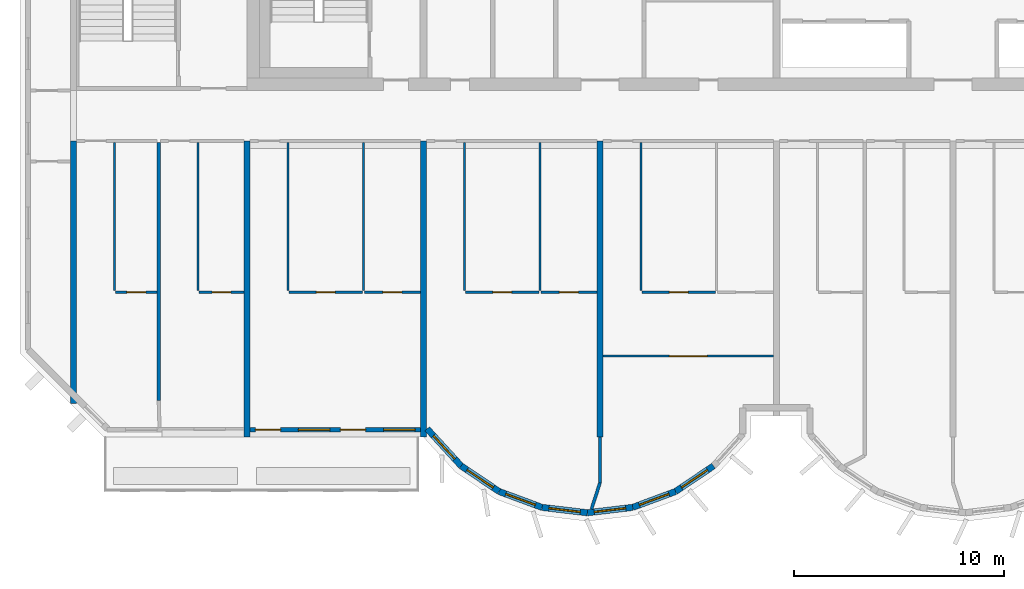
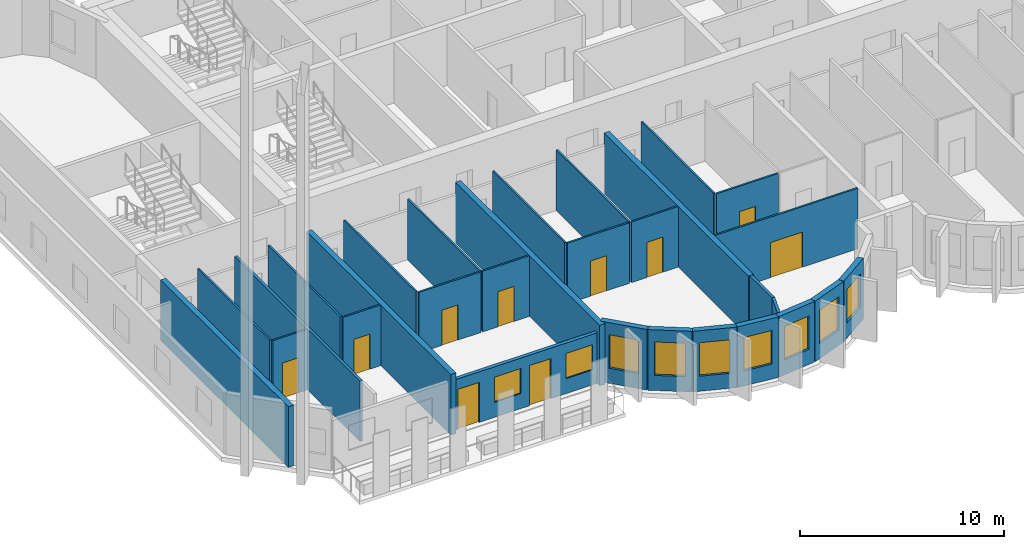
# One storey, part 2 of 13: 30 walls, 10 doors, 9 windows, 19 openings.
"""IFC4 building model written with IfcOpenShell, lengths in metres."""

from ifc_helpers import new_model, si_unit, direction, frame, frame_2d, origin, place, context, subcontext, project, spatial, rectangle, extrude, source, transform, mapped, material, layer, layer_set, type_object, element, fill, save


model = new_model("IFC4")

# Units and contexts
model_context = context("Model", 3, precision=1e-05, world=origin(), true_north=direction((0.0, 1.0)))
body_context = subcontext(model_context, "Body", "Model", "MODEL_VIEW")
ifc_project = project(units=[si_unit("LENGTHUNIT", "METRE"), si_unit("AREAUNIT", "SQUARE_METRE"), si_unit("VOLUMEUNIT", "CUBIC_METRE"), si_unit("PLANEANGLEUNIT", "RADIAN"), si_unit("MASSUNIT", "GRAM", prefix="KILO")], contexts=[model_context])

# Site, building, storey
site_placement = place(None, origin())
site = spatial("IfcSite", under=ifc_project, at=site_placement, CompositionType="ELEMENT")
building_placement = place(site_placement, origin())
building = spatial("IfcBuilding", under=site, at=building_placement, Name="Vanashikhar Sky Hotel", CompositionType="ELEMENT")
storey_placement = place(building_placement, frame((0.0, 0.0, 214.0)))
storey = spatial("IfcBuildingStorey", under=building, at=storey_placement, Name="L51", CompositionType="ELEMENT", Elevation=214.0)

# Walls
ifc_material_1 = material(Name="Concrete M60", Category="concrete")
ifc_layer_1 = layer(ifc_material_1, 0.300048828125)
ifc_layer_set_1 = layer_set([ifc_layer_1], Name="RC shear wall 300 Concrete M60")
wall_type_1 = type_object("IfcWallType", Name="RC shear wall 300 Concrete M60", PredefinedType="SHEAR", material=ifc_layer_set_1)
shared_shape_1 = source(origin(), body_context, "Body", "SweptSolid", [
    extrude(rectangle(XDim=12.5, YDim=0.300048828125, at=frame_2d((6.25, 0.0))), origin(), (0.0, 0.0, 1.0), 3.6201171875),
])
wall_1_placement = place(storey_placement, frame((16.949951171875, 7.10009765625, 0.0), z_axis=(0.0, 0.0, 1.0), x_axis=(0.0, 1.0, 0.0)))
element("IfcWall", 1, at=wall_1_placement, inside=storey, type_object=wall_type_1, Name="CW-L51-XW03-1", PredefinedType="SHEAR", context=body_context, shape_type="MappedRepresentation", body=[
    mapped(shared_shape_1, transform((0.0, 0.0, 0.0), scale=1.0)),
])
shared_shape_2 = source(origin(), body_context, "Body", "SweptSolid", [
    extrude(rectangle(XDim=14.10009765625, YDim=0.300048828125, at=frame_2d((7.050048828125, 0.0))), origin(), (0.0, 0.0, 1.0), 3.6201171875),
])
for number, where, z_axis, x_axis, name in (
    (2, (25.199951171875, 5.5, 0.0), (0.0, 0.0, 1.0), (0.0, 1.0, 0.0), "CW-L51-XW04-1"),
    (3, (33.60009765625, 5.5, 0.0), (0.0, 0.0, 1.0), (0.0, 1.0, 0.0), "CW-L51-XW05-1"),
    (4, (42.0, 5.5, 0.0), (0.0, 0.0, 1.0), (0.0, 1.0, 0.0), "CW-L51-XW06-1"),
):
    element("IfcWall", number, at=place(storey_placement, frame(where, z_axis=z_axis, x_axis=x_axis)), inside=storey, type_object=wall_type_1, Name=name, PredefinedType="SHEAR", context=body_context, shape_type="MappedRepresentation", body=[
        mapped(shared_shape_2, transform((0.0, 0.0, 0.0), scale=1.0)),
    ])

# Wall, openings, windows, doors
ifc_material_2 = material(Name="Concrete M50", Category="concrete")
ifc_layer_2 = layer(ifc_material_2, 0.199951171875)
ifc_layer_set_2 = layer_set([ifc_layer_2], Name="Front window wall 200")
wall_type_2 = type_object("IfcWallType", Name="Front window wall 200", PredefinedType="SOLIDWALL", material=ifc_layer_set_2)
shared_shape_3 = source(origin(), body_context, "Body", "SweptSolid", [
    extrude(rectangle(XDim=8.099853515625, YDim=0.199951171875, at=frame_2d((4.0498046875, 0.0))), origin(), (0.0, 0.0, 1.0), 3.02001953125),
])
wall_2_placement = place(storey_placement, frame((25.35009765625, 5.85009765625, 0.0), z_axis=(0.0, 0.0, 1.0), x_axis=(1.0, 0.0, 0.0)))
wall_2 = element("IfcWall", 5, at=wall_2_placement, inside=storey, type_object=wall_type_2, Name="Front window wall", PredefinedType="SOLIDWALL", context=body_context, shape_type="MappedRepresentation", body=[
    mapped(shared_shape_3, transform((0.0, 0.0, 0.0), scale=1.0)),
])
shared_shape_4 = source(origin(), body_context, "Body", "SweptSolid", [
    extrude(rectangle(XDim=1.199951171875, YDim=2.39990234375, at=frame_2d((0.60009765625, 1.199951171875))), frame((0.0, 0.10986328125, 0.0), z_axis=(0.0, -1.0, 0.0), x_axis=(1.0, 0.0, 0.0)), (0.0, 0.0, 1.0), 0.219970703125),
])
opening_1_placement = place(wall_2_placement, frame((0.25, 0.0, 0.0)))
opening_1 = element("IfcOpeningElement", 6, at=opening_1_placement, cuts=wall_2, Name="Opening BD-01", PredefinedType="OPENING", context=body_context, shape_type="MappedRepresentation", body=[
    mapped(shared_shape_4, transform((0.0, 0.0, 0.0), scale=1.0)),
])
shared_shape_5 = source(origin(), body_context, "Body", "SweptSolid", [
    extrude(rectangle(XDim=1.5, YDim=1.5, at=frame_2d((0.75, 0.75))), frame((0.0, 0.10986328125, 0.0), z_axis=(0.0, -1.0, 0.0), x_axis=(1.0, 0.0, 0.0)), (0.0, 0.0, 1.0), 0.219970703125),
])
opening_2_placement = place(wall_2_placement, frame((2.300048828125, 0.0, 0.89990234375)))
opening_2 = element("IfcOpeningElement", 7, at=opening_2_placement, cuts=wall_2, Name="Opening WN-1", PredefinedType="OPENING", context=body_context, shape_type="MappedRepresentation", body=[
    mapped(shared_shape_5, transform((0.0, 0.0, 0.0), scale=1.0)),
])
opening_3_placement = place(wall_2_placement, frame((4.300048828125, 0.0, 0.0)))
opening_3 = element("IfcOpeningElement", 8, at=opening_3_placement, cuts=wall_2, Name="Opening BD-02", PredefinedType="OPENING", context=body_context, shape_type="MappedRepresentation", body=[
    mapped(shared_shape_4, transform((0.0, 0.0, 0.0), scale=1.0)),
])
opening_4_placement = place(wall_2_placement, frame((6.35009765625, 0.0, 0.89990234375)))
opening_4 = element("IfcOpeningElement", 9, at=opening_4_placement, cuts=wall_2, Name="Opening WN-1", PredefinedType="OPENING", context=body_context, shape_type="MappedRepresentation", body=[
    mapped(shared_shape_5, transform((0.0, 0.0, 0.0), scale=1.0)),
])
ifc_material_3 = material(Name="Glass", Category="glass")
window_type_1 = type_object("IfcWindowType", Name="Window 1500 x 1500", PartitioningType="SINGLE_PANEL", PredefinedType="WINDOW", material=ifc_material_3)
shared_shape_6 = source(origin(), body_context, "Body", "SweptSolid", [
    extrude(rectangle(XDim=1.5, YDim=1.5, at=frame_2d((0.75, 0.75))), frame((0.0, 0.030029296875, 0.0), z_axis=(0.0, -1.0, 0.0), x_axis=(1.0, 0.0, 0.0)), (0.0, 0.0, 1.0), 0.06005859375),
])
window_1_placement = place(opening_2_placement, origin())
window_1 = element("IfcWindow", 10, at=window_1_placement, inside=storey, type_object=window_type_1, Name="Window WN-1", OverallHeight=1.5, OverallWidth=1.5, PartitioningType="SINGLE_PANEL", PredefinedType="WINDOW", context=body_context, shape_type="MappedRepresentation", body=[
    mapped(shared_shape_6, transform((0.0, 0.0, 0.0), scale=1.0)),
])
fill(opening_2, window_1)
window_2_placement = place(opening_4_placement, origin())
window_2 = element("IfcWindow", 11, at=window_2_placement, inside=storey, type_object=window_type_1, Name="Window WN-1", OverallHeight=1.5, OverallWidth=1.5, PartitioningType="SINGLE_PANEL", PredefinedType="WINDOW", context=body_context, shape_type="MappedRepresentation", body=[
    mapped(shared_shape_6, transform((0.0, 0.0, 0.0), scale=1.0)),
])
fill(opening_4, window_2)
ifc_material_4 = material(Name="Aluminium", Category="aluminium")
door_type_1 = type_object("IfcDoorType", Name="Balcony sliding door 1200 x 2400", OperationType="NOTDEFINED", PredefinedType="DOOR", material=ifc_material_4)
shared_shape_7 = source(origin(), body_context, "Body", "SweptSolid", [
    extrude(rectangle(XDim=1.199951171875, YDim=2.39990234375, at=frame_2d((0.60009765625, 1.199951171875))), frame((0.0, 0.02490234375, 0.0), z_axis=(0.0, -1.0, 0.0), x_axis=(1.0, 0.0, 0.0)), (0.0, 0.0, 1.0), 0.050048828125),
])
door_1_placement = place(opening_1_placement, origin())
door_1 = element("IfcDoor", 12, at=door_1_placement, inside=storey, type_object=door_type_1, Name="Balcony sliding door", OperationType="SLIDING_TO_LEFT", OverallHeight=2.39990234375, OverallWidth=1.199951171875, PredefinedType="DOOR", context=body_context, shape_type="MappedRepresentation", body=[
    mapped(shared_shape_7, transform((0.0, 0.0, 0.0), scale=1.0)),
])
fill(opening_1, door_1)
door_2_placement = place(opening_3_placement, origin())
door_2 = element("IfcDoor", 13, at=door_2_placement, inside=storey, type_object=door_type_1, Name="Balcony sliding door", OperationType="SLIDING_TO_RIGHT", OverallHeight=2.39990234375, OverallWidth=1.199951171875, PredefinedType="DOOR", context=body_context, shape_type="MappedRepresentation", body=[
    mapped(shared_shape_7, transform((0.0, 0.0, 0.0), scale=1.0)),
])
fill(opening_3, door_2)

# Wall, opening, window
ifc_layer_3 = layer(ifc_material_2, 0.300048828125)
ifc_layer_set_3 = layer_set([ifc_layer_3], Name="Lobe wall 300")
wall_type_3 = type_object("IfcWallType", Name="Lobe wall 300", PredefinedType="SOLIDWALL", material=ifc_layer_set_3)
shared_shape_8 = source(origin(), body_context, "Body", "SweptSolid", [
    extrude(rectangle(XDim=2.398193359375, YDim=0.300048828125, at=frame_2d((1.19921875, 0.0))), origin(), (0.0, 0.0, 1.0), 3.6201171875),
])
wall_3_placement = place(storey_placement, frame((33.776123046875, 5.89990234375, 0.0), z_axis=(0.0, 0.0, 1.0), x_axis=(0.675374189419, -0.737475222815, 0.0)))
wall_3 = element("IfcWall", 14, at=wall_3_placement, inside=storey, type_object=wall_type_3, Name="Lobe wall", PredefinedType="SOLIDWALL", context=body_context, shape_type="MappedRepresentation", body=[
    mapped(shared_shape_8, transform((0.0, 0.0, 0.0), scale=1.0)),
])
shared_shape_9 = source(origin(), body_context, "Body", "SweptSolid", [
    extrude(rectangle(XDim=1.5, YDim=2.0, at=frame_2d((0.75, 1.0))), frame((0.0, 0.16015625, 0.0), z_axis=(0.0, -1.0, 0.0), x_axis=(1.0, 0.0, 0.0)), (0.0, 0.0, 1.0), 0.320068359375),
])
opening_5_placement = place(wall_3_placement, frame((0.44921875, 0.0, 0.89990234375)))
opening_5 = element("IfcOpeningElement", 15, at=opening_5_placement, cuts=wall_3, Name="Opening WN-2", PredefinedType="OPENING", context=body_context, shape_type="MappedRepresentation", body=[
    mapped(shared_shape_9, transform((0.0, 0.0, 0.0), scale=1.0)),
])
window_type_2 = type_object("IfcWindowType", Name="Lobe window 1500 x 2000", PartitioningType="SINGLE_PANEL", PredefinedType="WINDOW", material=ifc_material_3)
shared_shape_10 = source(origin(), body_context, "Body", "SweptSolid", [
    extrude(rectangle(XDim=1.5, YDim=2.0, at=frame_2d((0.75, 1.0))), frame((0.0, 0.030029296875, 0.0), z_axis=(0.0, -1.0, 0.0), x_axis=(1.0, 0.0, 0.0)), (0.0, 0.0, 1.0), 0.06005859375),
])
window_3_placement = place(opening_5_placement, origin())
window_3 = element("IfcWindow", 16, at=window_3_placement, inside=storey, type_object=window_type_2, Name="Window WN-2", OverallHeight=2.0, OverallWidth=1.5, PartitioningType="SINGLE_PANEL", PredefinedType="WINDOW", context=body_context, shape_type="MappedRepresentation", body=[
    mapped(shared_shape_10, transform((0.0, 0.0, 0.0), scale=1.0)),
])
fill(opening_5, window_3)

shared_shape_11 = source(origin(), body_context, "Body", "SweptSolid", [
    extrude(rectangle(XDim=2.17578125, YDim=0.300048828125, at=frame_2d((1.087890625, 0.0))), origin(), (0.0, 0.0, 1.0), 3.6201171875),
])
wall_4_placement = place(storey_placement, frame((35.395751953125, 4.13134765625, 0.0), z_axis=(0.0, 0.0, 1.0), x_axis=(0.829590746428, -0.558371913192, 0.0)))
wall_4 = element("IfcWall", 17, at=wall_4_placement, inside=storey, type_object=wall_type_3, Name="Lobe wall", PredefinedType="SOLIDWALL", context=body_context, shape_type="MappedRepresentation", body=[
    mapped(shared_shape_11, transform((0.0, 0.0, 0.0), scale=1.0)),
])
opening_6_placement = place(wall_4_placement, frame((0.337890625, 0.0, 0.89990234375)))
opening_6 = element("IfcOpeningElement", 18, at=opening_6_placement, cuts=wall_4, Name="Opening WN-2", PredefinedType="OPENING", context=body_context, shape_type="MappedRepresentation", body=[
    mapped(shared_shape_9, transform((0.0, 0.0, 0.0), scale=1.0)),
])
window_4_placement = place(opening_6_placement, origin())
window_4 = element("IfcWindow", 19, at=window_4_placement, inside=storey, type_object=window_type_2, Name="Window WN-2", OverallHeight=2.0, OverallWidth=1.5, PartitioningType="SINGLE_PANEL", PredefinedType="WINDOW", context=body_context, shape_type="MappedRepresentation", body=[
    mapped(shared_shape_10, transform((0.0, 0.0, 0.0), scale=1.0)),
])
fill(opening_6, window_4)

wall_5_placement = place(storey_placement, frame((37.20068359375, 2.91650390625, 0.0), z_axis=(0.0, 0.0, 1.0), x_axis=(0.93754555999, -0.347862505801, 0.0)))
wall_5 = element("IfcWall", 20, at=wall_5_placement, inside=storey, type_object=wall_type_3, Name="Lobe wall", PredefinedType="SOLIDWALL", context=body_context, shape_type="MappedRepresentation", body=[
    mapped(shared_shape_11, transform((0.0, 0.0, 0.0), scale=1.0)),
])
opening_7_placement = place(wall_5_placement, frame((0.337890625, 0.0, 0.89990234375)))
opening_7 = element("IfcOpeningElement", 21, at=opening_7_placement, cuts=wall_5, Name="Opening WN-2", PredefinedType="OPENING", context=body_context, shape_type="MappedRepresentation", body=[
    mapped(shared_shape_9, transform((0.0, 0.0, 0.0), scale=1.0)),
])
window_5_placement = place(opening_7_placement, origin())
window_5 = element("IfcWindow", 22, at=window_5_placement, inside=storey, type_object=window_type_2, Name="Window WN-2", OverallHeight=2.0, OverallWidth=1.5, PartitioningType="SINGLE_PANEL", PredefinedType="WINDOW", context=body_context, shape_type="MappedRepresentation", body=[
    mapped(shared_shape_10, transform((0.0, 0.0, 0.0), scale=1.0)),
])
fill(opening_7, window_5)

wall_6_placement = place(storey_placement, frame((45.59912109375, 2.91650390625, 0.0), z_axis=(0.0, 0.0, 1.0), x_axis=(0.829625727223, 0.558319937607, 0.0)))
wall_6 = element("IfcWall", 23, at=wall_6_placement, inside=storey, type_object=wall_type_3, Name="Lobe wall", PredefinedType="SOLIDWALL", context=body_context, shape_type="MappedRepresentation", body=[
    mapped(shared_shape_11, transform((0.0, 0.0, 0.0), scale=1.0)),
])
opening_8_placement = place(wall_6_placement, frame((0.337890625, 0.0, 0.89990234375)))
opening_8 = element("IfcOpeningElement", 24, at=opening_8_placement, cuts=wall_6, Name="Opening WN-2", PredefinedType="OPENING", context=body_context, shape_type="MappedRepresentation", body=[
    mapped(shared_shape_9, transform((0.0, 0.0, 0.0), scale=1.0)),
])
window_6_placement = place(opening_8_placement, origin())
window_6 = element("IfcWindow", 25, at=window_6_placement, inside=storey, type_object=window_type_2, Name="Window WN-2", OverallHeight=2.0, OverallWidth=1.5, PartitioningType="SINGLE_PANEL", PredefinedType="WINDOW", context=body_context, shape_type="MappedRepresentation", body=[
    mapped(shared_shape_10, transform((0.0, 0.0, 0.0), scale=1.0)),
])
fill(opening_8, window_6)

shared_shape_12 = source(origin(), body_context, "Body", "SweptSolid", [
    extrude(rectangle(XDim=2.174560546875, YDim=0.300048828125, at=frame_2d((1.08740234375, 0.0))), origin(), (0.0, 0.0, 1.0), 3.6201171875),
])
wall_7_placement = place(storey_placement, frame((39.240478515625, 2.15966796875, 0.0), z_axis=(0.0, 0.0, 1.0), x_axis=(0.993001132889, -0.118104826659, 0.0)))
wall_7 = element("IfcWall", 26, at=wall_7_placement, inside=storey, type_object=wall_type_3, Name="Lobe wall", PredefinedType="SOLIDWALL", context=body_context, shape_type="MappedRepresentation", body=[
    mapped(shared_shape_12, transform((0.0, 0.0, 0.0), scale=1.0)),
])
opening_9_placement = place(wall_7_placement, frame((0.33740234375, 0.0, 0.89990234375)))
opening_9 = element("IfcOpeningElement", 27, at=opening_9_placement, cuts=wall_7, Name="Opening WN-2", PredefinedType="OPENING", context=body_context, shape_type="MappedRepresentation", body=[
    mapped(shared_shape_9, transform((0.0, 0.0, 0.0), scale=1.0)),
])
window_7_placement = place(opening_9_placement, origin())
window_7 = element("IfcWindow", 28, at=window_7_placement, inside=storey, type_object=window_type_2, Name="Window WN-2", OverallHeight=2.0, OverallWidth=1.5, PartitioningType="SINGLE_PANEL", PredefinedType="WINDOW", context=body_context, shape_type="MappedRepresentation", body=[
    mapped(shared_shape_10, transform((0.0, 0.0, 0.0), scale=1.0)),
])
fill(opening_9, window_7)

shared_shape_13 = source(origin(), body_context, "Body", "SweptSolid", [
    extrude(rectangle(XDim=2.1748046875, YDim=0.300048828125, at=frame_2d((1.08740234375, 0.0))), origin(), (0.0, 0.0, 1.0), 3.6201171875),
])
wall_8_placement = place(storey_placement, frame((41.39990234375, 1.90283203125, 0.0), z_axis=(0.0, 0.0, 1.0), x_axis=(0.993002698611, 0.118091661648, 0.0)))
wall_8 = element("IfcWall", 29, at=wall_8_placement, inside=storey, type_object=wall_type_3, Name="Lobe wall", PredefinedType="SOLIDWALL", context=body_context, shape_type="MappedRepresentation", body=[
    mapped(shared_shape_13, transform((0.0, 0.0, 0.0), scale=1.0)),
])
opening_10_placement = place(wall_8_placement, frame((0.33740234375, 0.0, 0.89990234375)))
opening_10 = element("IfcOpeningElement", 30, at=opening_10_placement, cuts=wall_8, Name="Opening WN-2", PredefinedType="OPENING", context=body_context, shape_type="MappedRepresentation", body=[
    mapped(shared_shape_9, transform((0.0, 0.0, 0.0), scale=1.0)),
])
window_8_placement = place(opening_10_placement, origin())
window_8 = element("IfcWindow", 31, at=window_8_placement, inside=storey, type_object=window_type_2, Name="Window WN-2", OverallHeight=2.0, OverallWidth=1.5, PartitioningType="SINGLE_PANEL", PredefinedType="WINDOW", context=body_context, shape_type="MappedRepresentation", body=[
    mapped(shared_shape_10, transform((0.0, 0.0, 0.0), scale=1.0)),
])
fill(opening_10, window_8)

shared_shape_14 = source(origin(), body_context, "Body", "SweptSolid", [
    extrude(rectangle(XDim=2.175537109375, YDim=0.300048828125, at=frame_2d((1.087890625, 0.0))), origin(), (0.0, 0.0, 1.0), 3.6201171875),
])
wall_9_placement = place(storey_placement, frame((43.5595703125, 2.15966796875, 0.0), z_axis=(0.0, 0.0, 1.0), x_axis=(0.937531979054, 0.347899106424, 0.0)))
wall_9 = element("IfcWall", 32, at=wall_9_placement, inside=storey, type_object=wall_type_3, Name="Lobe wall", PredefinedType="SOLIDWALL", context=body_context, shape_type="MappedRepresentation", body=[
    mapped(shared_shape_14, transform((0.0, 0.0, 0.0), scale=1.0)),
])
opening_11_placement = place(wall_9_placement, frame((0.337890625, 0.0, 0.89990234375)))
opening_11 = element("IfcOpeningElement", 33, at=opening_11_placement, cuts=wall_9, Name="Opening WN-2", PredefinedType="OPENING", context=body_context, shape_type="MappedRepresentation", body=[
    mapped(shared_shape_9, transform((0.0, 0.0, 0.0), scale=1.0)),
])
window_9_placement = place(opening_11_placement, origin())
window_9 = element("IfcWindow", 34, at=window_9_placement, inside=storey, type_object=window_type_2, Name="Window WN-2", OverallHeight=2.0, OverallWidth=1.5, PartitioningType="SINGLE_PANEL", PredefinedType="WINDOW", context=body_context, shape_type="MappedRepresentation", body=[
    mapped(shared_shape_10, transform((0.0, 0.0, 0.0), scale=1.0)),
])
fill(opening_11, window_9)

# Walls
ifc_material_5 = material(Name="Gypsum plasterboard partition")
ifc_layer_4 = layer(ifc_material_5, 0.10009765625)
ifc_layer_set_4 = layer_set([ifc_layer_4], Name="Wet room partition 100")
wall_type_4 = type_object("IfcWallType", Name="Wet room partition 100", PredefinedType="PARTITIONING", material=ifc_layer_set_4)
shared_shape_15 = source(origin(), body_context, "Body", "SweptSolid", [
    extrude(rectangle(XDim=7.0498046875, YDim=0.10009765625, at=frame_2d((3.52490234375, 0.0))), origin(), (0.0, 0.0, 1.0), 3.6201171875),
])
for number, where, z_axis, x_axis, name in (
    (35, (18.89990234375, 12.47509765625, 0.0), (0.0, 0.0, 1.0), (0.0, 1.0, 0.0), "W-L51-PW001"),
    (36, (22.875, 12.47509765625, 0.0), (0.0, 0.0, 1.0), (0.0, 1.0, 0.0), "W-L51-PW004"),
    (37, (27.14990234375, 12.47509765625, 0.0), (0.0, 0.0, 1.0), (0.0, 1.0, 0.0), "W-L51-PW008"),
    (38, (30.75, 12.47509765625, 0.0), (0.0, 0.0, 1.0), (0.0, 1.0, 0.0), "W-L51-PW009"),
    (39, (35.550048828125, 12.47509765625, 0.0), (0.0, 0.0, 1.0), (0.0, 1.0, 0.0), "W-L51-PW013"),
    (40, (39.14990234375, 12.47509765625, 0.0), (0.0, 0.0, 1.0), (0.0, 1.0, 0.0), "W-L51-PW014"),
    (41, (43.949951171875, 12.47509765625, 0.0), (0.0, 0.0, 1.0), (0.0, 1.0, 0.0), "W-L51-PW018"),
):
    element("IfcWall", number, at=place(storey_placement, frame(where, z_axis=z_axis, x_axis=x_axis)), inside=storey, type_object=wall_type_4, Name=name, PredefinedType="PARTITIONING", context=body_context, shape_type="MappedRepresentation", body=[
        mapped(shared_shape_15, transform((0.0, 0.0, 0.0), scale=1.0)),
    ])

# Wall, opening, door
shared_shape_16 = source(origin(), body_context, "Body", "SweptSolid", [
    extrude(rectangle(XDim=1.97509765625, YDim=0.10009765625, at=frame_2d((0.987548828125, 0.0))), origin(), (0.0, 0.0, 1.0), 3.6201171875),
])
wall_10_placement = place(storey_placement, frame((18.949951171875, 12.39990234375, 0.0), z_axis=(0.0, 0.0, 1.0), x_axis=(1.0, 0.0, 0.0)))
wall_10 = element("IfcWall", 42, at=wall_10_placement, inside=storey, type_object=wall_type_4, Name="W-L51-PW002", PredefinedType="PARTITIONING", context=body_context, shape_type="MappedRepresentation", body=[
    mapped(shared_shape_16, transform((0.0, 0.0, 0.0), scale=1.0)),
])
shared_shape_17 = source(origin(), body_context, "Body", "SweptSolid", [
    extrude(rectangle(XDim=0.89990234375, YDim=2.10009765625, at=frame_2d((0.449951171875, 1.050048828125))), frame((0.0, 0.06005859375, 0.0), z_axis=(0.0, -1.0, 0.0), x_axis=(1.0, 0.0, 0.0)), (0.0, 0.0, 1.0), 0.1201171875),
])
opening_12_placement = place(wall_10_placement, frame((0.5380859375, 0.0, 0.0)))
opening_12 = element("IfcOpeningElement", 43, at=opening_12_placement, cuts=wall_10, Name="Opening D-02", PredefinedType="OPENING", context=body_context, shape_type="MappedRepresentation", body=[
    mapped(shared_shape_17, transform((0.0, 0.0, 0.0), scale=1.0)),
])
ifc_material_6 = material(Name="Timber door", Category="wood")
door_type_2 = type_object("IfcDoorType", Name="Internal door 900", OperationType="NOTDEFINED", PredefinedType="DOOR", material=ifc_material_6)
shared_shape_18 = source(origin(), body_context, "Body", "SweptSolid", [
    extrude(rectangle(XDim=0.89990234375, YDim=2.10009765625, at=frame_2d((0.449951171875, 1.050048828125))), frame((0.0, 0.02490234375, 0.0), z_axis=(0.0, -1.0, 0.0), x_axis=(1.0, 0.0, 0.0)), (0.0, 0.0, 1.0), 0.050048828125),
])
door_3_placement = place(opening_12_placement, origin())
door_3 = element("IfcDoor", 44, at=door_3_placement, inside=storey, type_object=door_type_2, Name="D-L51-001", OperationType="SINGLE_SWING_LEFT", OverallHeight=2.10009765625, OverallWidth=0.89990234375, PredefinedType="DOOR", context=body_context, shape_type="MappedRepresentation", body=[
    mapped(shared_shape_18, transform((0.0, 0.0, 0.0), scale=1.0)),
])
fill(opening_12, door_3)

shared_shape_19 = source(origin(), body_context, "Body", "SweptSolid", [
    extrude(rectangle(XDim=2.125, YDim=0.10009765625, at=frame_2d((1.0625, 0.0))), origin(), (0.0, 0.0, 1.0), 3.6201171875),
])
wall_11_placement = place(storey_placement, frame((22.925048828125, 12.39990234375, 0.0), z_axis=(0.0, 0.0, 1.0), x_axis=(1.0, 0.0, 0.0)))
wall_11 = element("IfcWall", 45, at=wall_11_placement, inside=storey, type_object=wall_type_4, Name="W-L51-PW005", PredefinedType="PARTITIONING", context=body_context, shape_type="MappedRepresentation", body=[
    mapped(shared_shape_19, transform((0.0, 0.0, 0.0), scale=1.0)),
])
opening_13_placement = place(wall_11_placement, frame((0.613037109375, 0.0, 0.0)))
opening_13 = element("IfcOpeningElement", 46, at=opening_13_placement, cuts=wall_11, Name="Opening D-02", PredefinedType="OPENING", context=body_context, shape_type="MappedRepresentation", body=[
    mapped(shared_shape_17, transform((0.0, 0.0, 0.0), scale=1.0)),
])
door_4_placement = place(opening_13_placement, origin())
door_4 = element("IfcDoor", 47, at=door_4_placement, inside=storey, type_object=door_type_2, Name="D-L51-003", OperationType="SINGLE_SWING_LEFT", OverallHeight=2.10009765625, OverallWidth=0.89990234375, PredefinedType="DOOR", context=body_context, shape_type="MappedRepresentation", body=[
    mapped(shared_shape_18, transform((0.0, 0.0, 0.0), scale=1.0)),
])
fill(opening_13, door_4)

# Wall
ifc_layer_5 = layer(ifc_material_5, 0.14990234375)
ifc_layer_set_5 = layer_set([ifc_layer_5], Name="Corridor and demising partition 150")
wall_type_5 = type_object("IfcWallType", Name="Corridor and demising partition 150", PredefinedType="PARTITIONING", material=ifc_layer_set_5)
shared_shape_20 = source(origin(), body_context, "Body", "SweptSolid", [
    extrude(rectangle(XDim=12.27490234375, YDim=0.14990234375, at=frame_2d((6.137451171875, 0.0))), origin(), (0.0, 0.0, 1.0), 3.6201171875),
])
wall_12_placement = place(storey_placement, frame((21.0, 7.25, 0.0), z_axis=(0.0, 0.0, 1.0), x_axis=(0.0, 1.0, 0.0)))
element("IfcWall", 48, at=wall_12_placement, inside=storey, type_object=wall_type_5, Name="W-L51-PW007", PredefinedType="PARTITIONING", context=body_context, shape_type="MappedRepresentation", body=[
    mapped(shared_shape_20, transform((0.0, 0.0, 0.0), scale=1.0)),
])

# Wall, opening, door
shared_shape_21 = source(origin(), body_context, "Body", "SweptSolid", [
    extrude(rectangle(XDim=3.5, YDim=0.10009765625, at=frame_2d((1.75, 0.0))), origin(), (0.0, 0.0, 1.0), 3.6201171875),
])
wall_13_placement = place(storey_placement, frame((27.199951171875, 12.39990234375, 0.0), z_axis=(0.0, 0.0, 1.0), x_axis=(1.0, 0.0, 0.0)))
wall_13 = element("IfcWall", 49, at=wall_13_placement, inside=storey, type_object=wall_type_4, Name="W-L51-PW010", PredefinedType="PARTITIONING", context=body_context, shape_type="MappedRepresentation", body=[
    mapped(shared_shape_21, transform((0.0, 0.0, 0.0), scale=1.0)),
])
opening_14_placement = place(wall_13_placement, frame((1.300048828125, 0.0, 0.0)))
opening_14 = element("IfcOpeningElement", 50, at=opening_14_placement, cuts=wall_13, Name="Opening D-02", PredefinedType="OPENING", context=body_context, shape_type="MappedRepresentation", body=[
    mapped(shared_shape_17, transform((0.0, 0.0, 0.0), scale=1.0)),
])
door_5_placement = place(opening_14_placement, origin())
door_5 = element("IfcDoor", 51, at=door_5_placement, inside=storey, type_object=door_type_2, Name="D-L51-005", OperationType="SINGLE_SWING_LEFT", OverallHeight=2.10009765625, OverallWidth=0.89990234375, PredefinedType="DOOR", context=body_context, shape_type="MappedRepresentation", body=[
    mapped(shared_shape_18, transform((0.0, 0.0, 0.0), scale=1.0)),
])
fill(opening_14, door_5)

wall_14_placement = place(storey_placement, frame((35.60009765625, 12.39990234375, 0.0), z_axis=(0.0, 0.0, 1.0), x_axis=(1.0, 0.0, 0.0)))
wall_14 = element("IfcWall", 52, at=wall_14_placement, inside=storey, type_object=wall_type_4, Name="W-L51-PW015", PredefinedType="PARTITIONING", context=body_context, shape_type="MappedRepresentation", body=[
    mapped(shared_shape_21, transform((0.0, 0.0, 0.0), scale=1.0)),
])
opening_15_placement = place(wall_14_placement, frame((1.300048828125, 0.0, 0.0)))
opening_15 = element("IfcOpeningElement", 53, at=opening_15_placement, cuts=wall_14, Name="Opening D-02", PredefinedType="OPENING", context=body_context, shape_type="MappedRepresentation", body=[
    mapped(shared_shape_17, transform((0.0, 0.0, 0.0), scale=1.0)),
])
door_6_placement = place(opening_15_placement, origin())
door_6 = element("IfcDoor", 54, at=door_6_placement, inside=storey, type_object=door_type_2, Name="D-L51-008", OperationType="SINGLE_SWING_LEFT", OverallHeight=2.10009765625, OverallWidth=0.89990234375, PredefinedType="DOOR", context=body_context, shape_type="MappedRepresentation", body=[
    mapped(shared_shape_18, transform((0.0, 0.0, 0.0), scale=1.0)),
])
fill(opening_15, door_6)

wall_15_placement = place(storey_placement, frame((44.0, 12.39990234375, 0.0), z_axis=(0.0, 0.0, 1.0), x_axis=(1.0, 0.0, 0.0)))
wall_15 = element("IfcWall", 55, at=wall_15_placement, inside=storey, type_object=wall_type_4, Name="W-L51-PW020", PredefinedType="PARTITIONING", context=body_context, shape_type="MappedRepresentation", body=[
    mapped(shared_shape_21, transform((0.0, 0.0, 0.0), scale=1.0)),
])
opening_16_placement = place(wall_15_placement, frame((1.300048828125, 0.0, 0.0)))
opening_16 = element("IfcOpeningElement", 56, at=opening_16_placement, cuts=wall_15, Name="Opening D-02", PredefinedType="OPENING", context=body_context, shape_type="MappedRepresentation", body=[
    mapped(shared_shape_17, transform((0.0, 0.0, 0.0), scale=1.0)),
])
door_7_placement = place(opening_16_placement, origin())
door_7 = element("IfcDoor", 57, at=door_7_placement, inside=storey, type_object=door_type_2, Name="D-L51-011", OperationType="SINGLE_SWING_LEFT", OverallHeight=2.10009765625, OverallWidth=0.89990234375, PredefinedType="DOOR", context=body_context, shape_type="MappedRepresentation", body=[
    mapped(shared_shape_18, transform((0.0, 0.0, 0.0), scale=1.0)),
])
fill(opening_16, door_7)

shared_shape_22 = source(origin(), body_context, "Body", "SweptSolid", [
    extrude(rectangle(XDim=2.64990234375, YDim=0.10009765625, at=frame_2d((1.324951171875, 0.0))), origin(), (0.0, 0.0, 1.0), 3.6201171875),
])
wall_16_placement = place(storey_placement, frame((30.800048828125, 12.39990234375, 0.0), z_axis=(0.0, 0.0, 1.0), x_axis=(1.0, 0.0, 0.0)))
wall_16 = element("IfcWall", 58, at=wall_16_placement, inside=storey, type_object=wall_type_4, Name="W-L51-PW011", PredefinedType="PARTITIONING", context=body_context, shape_type="MappedRepresentation", body=[
    mapped(shared_shape_22, transform((0.0, 0.0, 0.0), scale=1.0)),
])
opening_17_placement = place(wall_16_placement, frame((0.875, 0.0, 0.0)))
opening_17 = element("IfcOpeningElement", 59, at=opening_17_placement, cuts=wall_16, Name="Opening D-02", PredefinedType="OPENING", context=body_context, shape_type="MappedRepresentation", body=[
    mapped(shared_shape_17, transform((0.0, 0.0, 0.0), scale=1.0)),
])
door_8_placement = place(opening_17_placement, origin())
door_8 = element("IfcDoor", 60, at=door_8_placement, inside=storey, type_object=door_type_2, Name="D-L51-006", OperationType="SINGLE_SWING_LEFT", OverallHeight=2.10009765625, OverallWidth=0.89990234375, PredefinedType="DOOR", context=body_context, shape_type="MappedRepresentation", body=[
    mapped(shared_shape_18, transform((0.0, 0.0, 0.0), scale=1.0)),
])
fill(opening_17, door_8)

shared_shape_23 = source(origin(), body_context, "Body", "SweptSolid", [
    extrude(rectangle(XDim=2.650146484375, YDim=0.10009765625, at=frame_2d((1.3251953125, 0.0))), origin(), (0.0, 0.0, 1.0), 3.6201171875),
])
wall_17_placement = place(storey_placement, frame((39.199951171875, 12.39990234375, 0.0), z_axis=(0.0, 0.0, 1.0), x_axis=(1.0, 0.0, 0.0)))
wall_17 = element("IfcWall", 61, at=wall_17_placement, inside=storey, type_object=wall_type_4, Name="W-L51-PW016", PredefinedType="PARTITIONING", context=body_context, shape_type="MappedRepresentation", body=[
    mapped(shared_shape_23, transform((0.0, 0.0, 0.0), scale=1.0)),
])
opening_18_placement = place(wall_17_placement, frame((0.875, 0.0, 0.0)))
opening_18 = element("IfcOpeningElement", 62, at=opening_18_placement, cuts=wall_17, Name="Opening D-02", PredefinedType="OPENING", context=body_context, shape_type="MappedRepresentation", body=[
    mapped(shared_shape_17, transform((0.0, 0.0, 0.0), scale=1.0)),
])
door_9_placement = place(opening_18_placement, origin())
door_9 = element("IfcDoor", 63, at=door_9_placement, inside=storey, type_object=door_type_2, Name="D-L51-009", OperationType="SINGLE_SWING_LEFT", OverallHeight=2.10009765625, OverallWidth=0.89990234375, PredefinedType="DOOR", context=body_context, shape_type="MappedRepresentation", body=[
    mapped(shared_shape_18, transform((0.0, 0.0, 0.0), scale=1.0)),
])
fill(opening_18, door_9)

shared_shape_24 = source(origin(), body_context, "Body", "SweptSolid", [
    extrude(rectangle(XDim=8.10009765625, YDim=0.10009765625, at=frame_2d((4.050048828125, 0.0))), origin(), (0.0, 0.0, 1.0), 3.6201171875),
])
wall_18_placement = place(storey_placement, frame((42.14990234375, 9.362060546875, 0.0), z_axis=(0.0, 0.0, 1.0), x_axis=(1.0, 0.0, 0.0)))
wall_18 = element("IfcWall", 64, at=wall_18_placement, inside=storey, type_object=wall_type_4, Name="W-L51-PW022", PredefinedType="PARTITIONING", context=body_context, shape_type="MappedRepresentation", body=[
    mapped(shared_shape_24, transform((0.0, 0.0, 0.0), scale=1.0)),
])
shared_shape_25 = source(origin(), body_context, "Body", "SweptSolid", [
    extrude(rectangle(XDim=1.800048828125, YDim=2.10009765625, at=frame_2d((0.89990234375, 1.050048828125))), frame((0.0, 0.06005859375, 0.0), z_axis=(0.0, -1.0, 0.0), x_axis=(1.0, 0.0, 0.0)), (0.0, 0.0, 1.0), 0.1201171875),
])
opening_19_placement = place(wall_18_placement, frame((3.14990234375, 0.0, 0.0)))
opening_19 = element("IfcOpeningElement", 65, at=opening_19_placement, cuts=wall_18, Name="Opening D-08", PredefinedType="OPENING", context=body_context, shape_type="MappedRepresentation", body=[
    mapped(shared_shape_25, transform((0.0, 0.0, 0.0), scale=1.0)),
])
door_type_3 = type_object("IfcDoorType", Name="Double leaf door 1800", OperationType="NOTDEFINED", PredefinedType="DOOR", material=ifc_material_6)
shared_shape_26 = source(origin(), body_context, "Body", "SweptSolid", [
    extrude(rectangle(XDim=1.800048828125, YDim=2.10009765625, at=frame_2d((0.89990234375, 1.050048828125))), frame((0.0, 0.02490234375, 0.0), z_axis=(0.0, -1.0, 0.0), x_axis=(1.0, 0.0, 0.0)), (0.0, 0.0, 1.0), 0.050048828125),
])
door_10_placement = place(opening_19_placement, origin())
door_10 = element("IfcDoor", 66, at=door_10_placement, inside=storey, type_object=door_type_3, Name="D-L51-013", OperationType="DOUBLE_DOOR_SINGLE_SWING", OverallHeight=2.10009765625, OverallWidth=1.800048828125, PredefinedType="DOOR", context=body_context, shape_type="MappedRepresentation", body=[
    mapped(shared_shape_26, transform((0.0, 0.0, 0.0), scale=1.0)),
])
fill(opening_19, door_10)

# Walls
shared_shape_27 = source(origin(), body_context, "Body", "SweptSolid", [
    extrude(rectangle(XDim=2.177978515625, YDim=0.14990234375, at=frame_2d((1.0888671875, 0.0))), origin(), (0.0, 0.0, 1.0), 3.6201171875),
])
wall_19_placement = place(storey_placement, frame((42.0, 3.322021484375, 0.0), z_axis=(0.0, 0.0, 1.0), x_axis=(0.0, 1.0, 0.0)))
element("IfcWall", 67, at=wall_19_placement, inside=storey, type_object=wall_type_5, Name="W-L51-PW050", PredefinedType="PARTITIONING", context=body_context, shape_type="MappedRepresentation", body=[
    mapped(shared_shape_27, transform((0.0, 0.0, 0.0), scale=1.0)),
])
shared_shape_28 = source(origin(), body_context, "Body", "SweptSolid", [
    extrude(rectangle(XDim=1.308349609375, YDim=0.14990234375, at=frame_2d((0.654296875, 0.0))), origin(), (0.0, 0.0, 1.0), 3.6201171875),
])
wall_20_placement = place(storey_placement, frame((41.597900390625, 2.076904296875, 0.0), z_axis=(0.0, 0.0, 1.0), x_axis=(0.307313512187, 0.951608325535, 0.0)))
element("IfcWall", 68, at=wall_20_placement, inside=storey, type_object=wall_type_5, Name="W-L51-PW050B0", PredefinedType="PARTITIONING", context=body_context, shape_type="MappedRepresentation", body=[
    mapped(shared_shape_28, transform((0.0, 0.0, 0.0), scale=1.0)),
])

save(model, "model.ifc")
